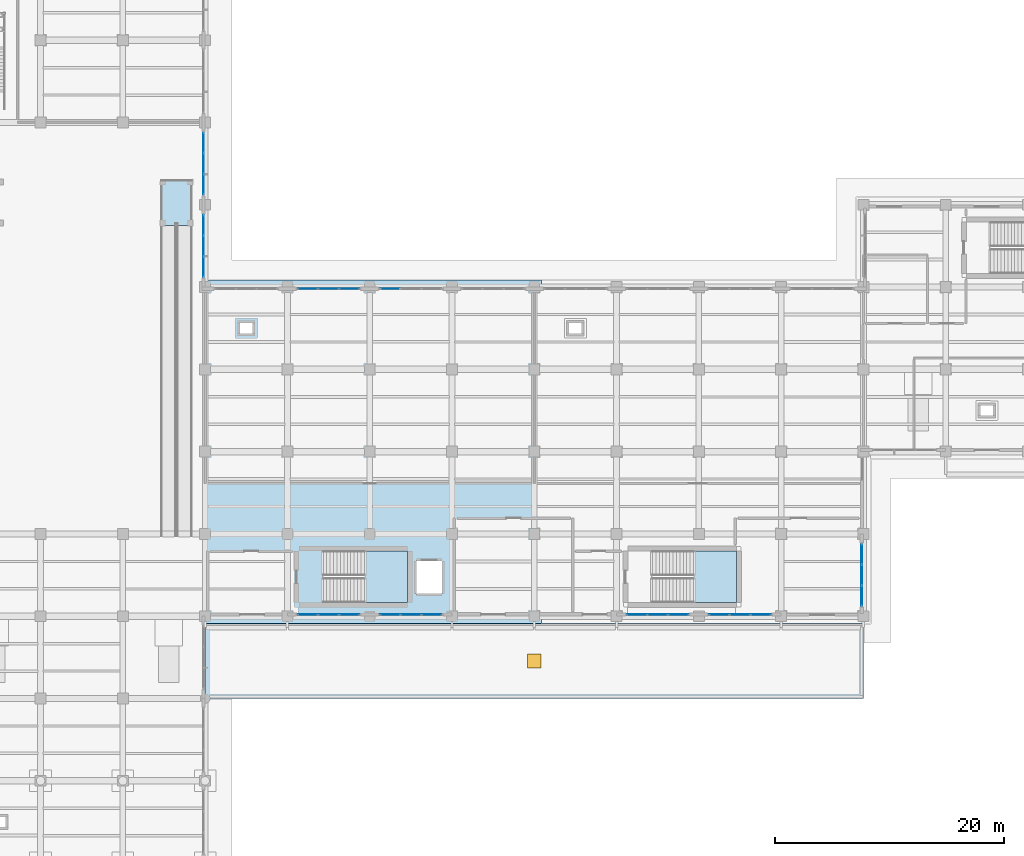
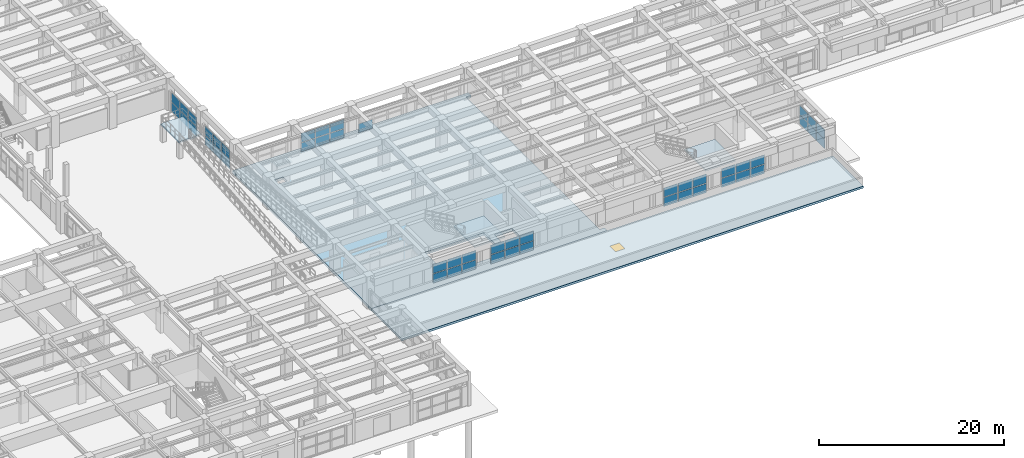
# One storey, part 32 of 64: 49 plates, 5 slabs, 1 window, 1 opening, 12 elements without a shape of their own.
"""IFC4 building model written with IfcOpenShell, lengths in metres."""

from ifc_helpers import new_model, si_unit, direction, frame, origin, origin_2d, place, context, subcontext, project, spatial, polyline, rectangle, outline, extrude, material, layer, layer_set, type_object, element, fill, aggregate, save


model = new_model("IFC4")

# Units and contexts
model_context = context("Model", 3, precision=1e-05, world=origin(), true_north=direction((0.0, 1.0)))
body_context = subcontext(model_context, "Body", "Model", "MODEL_VIEW")
ifc_project = project(units=[si_unit("LENGTHUNIT", "METRE"), si_unit("AREAUNIT", "SQUARE_METRE"), si_unit("VOLUMEUNIT", "CUBIC_METRE"), si_unit("PLANEANGLEUNIT", "RADIAN"), si_unit("MASSUNIT", "GRAM", prefix="KILO")], contexts=[model_context])

# Site, building, storey
site_placement = place(None, origin())
site = spatial("IfcSite", under=ifc_project, at=site_placement, CompositionType="ELEMENT")
building_placement = place(site_placement, origin())
building = spatial("IfcBuilding", under=site, at=building_placement, Name="Solenvale Faculty of Natural Sciences", CompositionType="ELEMENT")
storey_placement = place(building_placement, origin())
storey = spatial("IfcBuildingStorey", under=building, at=storey_placement, Name="L00", CompositionType="ELEMENT", Elevation=0.0)

# Curtain wall, plate
ifc_material_1 = material(Name="Anodised bronze aluminium", Category="aluminium")
ifc_layer_1 = layer(ifc_material_1, 0.179931640625)
ifc_layer_set_1 = layer_set([ifc_layer_1], Name="Anodised bronze aluminium")
curtain_wall_type_1 = type_object("IfcCurtainWallType", Name="CW-TWR-MOD", PredefinedType="USERDEFINED", material=ifc_layer_set_1)
curtain_wall_1_placement = place(storey_placement, origin())
curtain_wall_1 = element("IfcCurtainWall", 1, at=curtain_wall_1_placement, inside=storey, type_object=curtain_wall_type_1, Name="L00 Curtain Wall CW-L00-P1-E9-B6", ObjectType="UNITISED CURTAIN WALL", PredefinedType="USERDEFINED")
ifc_material_2 = material(Name="North-light skylight glass", Category="glass")
ifc_layer_2 = layer(ifc_material_2, 0.028076171875)
ifc_layer_set_2 = layer_set([ifc_layer_2], Name="North-light skylight glass")
plate_type_1 = type_object("IfcPlateType", Name="CWP-PNL-28", PredefinedType="CURTAIN_PANEL", material=ifc_layer_set_2)
plate_1_placement = place(storey_placement, frame((73.785400390625, 50.257568359375, 0.074951171875), z_axis=(0.0, 0.0, 1.0), x_axis=(-1.0, 0.0, 0.0)))
plate_1 = element("IfcPlate", 2, at=plate_1_placement, type_object=plate_type_1, Name="CW-04 panel 3.1", PredefinedType="CURTAIN_PANEL", context=body_context, shape_type="SweptSolid", body=[
    extrude(rectangle(XDim=1.720947265625, YDim=0.028076171875, at=origin_2d()), origin(), (0.0, 0.0, 1.0), 1.1875),
])
aggregate(curtain_wall_1, [plate_1])

# Curtain wall, plates
curtain_wall_2_placement = place(storey_placement, origin())
curtain_wall_2 = element("IfcCurtainWall", 3, at=curtain_wall_2_placement, inside=storey, type_object=curtain_wall_type_1, Name="L00 Curtain Wall CW-L00-P1-E9-B7", ObjectType="UNITISED CURTAIN WALL", PredefinedType="USERDEFINED")
ifc_material_3 = material(Name="Triple low-E insulated glass", Category="glass")
ifc_layer_3 = layer(ifc_material_3, 0.031982421875)
ifc_layer_set_3 = layer_set([ifc_layer_3], Name="Triple low-E insulated glass")
plate_type_2 = type_object("IfcPlateType", Name="CWP-PNL-32", PredefinedType="CURTAIN_PANEL", material=ifc_layer_set_3)
plate_2_placement = place(storey_placement, frame((70.214599609375, 50.257568359375, 0.074951171875), z_axis=(0.0, 0.0, 1.0), x_axis=(-1.0, 0.0, 0.0)))
plate_2 = element("IfcPlate", 4, at=plate_2_placement, type_object=plate_type_2, Name="CW-04 panel 1.1", PredefinedType="CURTAIN_PANEL", context=body_context, shape_type="SweptSolid", body=[
    extrude(rectangle(XDim=1.720947265625, YDim=0.031982421875, at=origin_2d()), origin(), (0.0, 0.0, 1.0), 1.1875),
])
plate_3_placement = place(storey_placement, frame((70.214599609375, 50.257568359375, 1.33740234375), z_axis=(0.0, 0.0, 1.0), x_axis=(-1.0, 0.0, 0.0)))
plate_3 = element("IfcPlate", 5, at=plate_3_placement, type_object=plate_type_2, Name="CW-04 panel 1.2", PredefinedType="CURTAIN_PANEL", context=body_context, shape_type="SweptSolid", body=[
    extrude(rectangle(XDim=1.720947265625, YDim=0.031982421875, at=origin_2d()), origin(), (0.0, 0.0, 1.0), 1.1875),
])
plate_4_placement = place(storey_placement, frame((68.39990234375, 50.257568359375, 0.074951171875), z_axis=(0.0, 0.0, 1.0), x_axis=(-1.0, 0.0, 0.0)))
plate_4 = element("IfcPlate", 6, at=plate_4_placement, type_object=plate_type_2, Name="CW-04 panel 2.1", PredefinedType="CURTAIN_PANEL", context=body_context, shape_type="SweptSolid", body=[
    extrude(rectangle(XDim=1.75830078125, YDim=0.031982421875, at=origin_2d()), origin(), (0.0, 0.0, 1.0), 1.1875),
])
plate_5_placement = place(storey_placement, frame((68.39990234375, 50.257568359375, 1.33740234375), z_axis=(0.0, 0.0, 1.0), x_axis=(-1.0, 0.0, 0.0)))
plate_5 = element("IfcPlate", 7, at=plate_5_placement, type_object=plate_type_2, Name="CW-04 panel 2.2", PredefinedType="CURTAIN_PANEL", context=body_context, shape_type="SweptSolid", body=[
    extrude(rectangle(XDim=1.75830078125, YDim=0.031982421875, at=origin_2d()), origin(), (0.0, 0.0, 1.0), 1.1875),
])
plate_6_placement = place(storey_placement, frame((66.58544921875, 50.257568359375, 0.074951171875), z_axis=(0.0, 0.0, 1.0), x_axis=(-1.0, 0.0, 0.0)))
plate_6 = element("IfcPlate", 8, at=plate_6_placement, type_object=plate_type_2, Name="CW-04 panel 3.1", PredefinedType="CURTAIN_PANEL", context=body_context, shape_type="SweptSolid", body=[
    extrude(rectangle(XDim=1.720947265625, YDim=0.031982421875, at=origin_2d()), origin(), (0.0, 0.0, 1.0), 1.1875),
])
plate_7_placement = place(storey_placement, frame((66.58544921875, 50.257568359375, 1.33740234375), z_axis=(0.0, 0.0, 1.0), x_axis=(-1.0, 0.0, 0.0)))
plate_7 = element("IfcPlate", 9, at=plate_7_placement, type_object=plate_type_2, Name="CW-04 panel 3.2", PredefinedType="CURTAIN_PANEL", context=body_context, shape_type="SweptSolid", body=[
    extrude(rectangle(XDim=1.720947265625, YDim=0.031982421875, at=origin_2d()), origin(), (0.0, 0.0, 1.0), 1.1875),
])
aggregate(curtain_wall_2, [plate_2, plate_3, plate_4, plate_5, plate_6, plate_7])

curtain_wall_3_placement = place(storey_placement, origin())
curtain_wall_3 = element("IfcCurtainWall", 10, at=curtain_wall_3_placement, inside=storey, type_object=curtain_wall_type_1, Name="L00 Curtain Wall CW-L00-P1-E3-B6", ObjectType="UNITISED CURTAIN WALL", PredefinedType="USERDEFINED")
ifc_layer_4 = layer(ifc_material_3, 0.035888671875)
ifc_layer_set_4 = layer_set([ifc_layer_4], Name="Triple low-E insulated glass")
plate_type_3 = type_object("IfcPlateType", Name="CWP-PNL-36", PredefinedType="CURTAIN_PANEL", material=ifc_layer_set_4)
plate_8_placement = place(storey_placement, frame((95.385498046875, 21.742431640625, 0.074951171875), z_axis=(0.0, 0.0, 1.0), x_axis=(1.0, 0.0, 0.0)))
plate_8 = element("IfcPlate", 11, at=plate_8_placement, type_object=plate_type_3, Name="CW-04 panel 1.1", PredefinedType="CURTAIN_PANEL", context=body_context, shape_type="SweptSolid", body=[
    extrude(rectangle(XDim=1.720947265625, YDim=0.035888671875, at=origin_2d()), origin(), (0.0, 0.0, 1.0), 1.1875),
])
plate_9_placement = place(storey_placement, frame((95.385498046875, 21.742431640625, 1.33740234375), z_axis=(0.0, 0.0, 1.0), x_axis=(1.0, 0.0, 0.0)))
plate_9 = element("IfcPlate", 12, at=plate_9_placement, type_object=plate_type_3, Name="CW-04 panel 1.2", PredefinedType="CURTAIN_PANEL", context=body_context, shape_type="SweptSolid", body=[
    extrude(rectangle(XDim=1.720947265625, YDim=0.035888671875, at=origin_2d()), origin(), (0.0, 0.0, 1.0), 1.1875),
])
plate_10_placement = place(storey_placement, frame((97.199951171875, 21.742431640625, 0.074951171875), z_axis=(0.0, 0.0, 1.0), x_axis=(1.0, 0.0, 0.0)))
plate_10 = element("IfcPlate", 13, at=plate_10_placement, type_object=plate_type_3, Name="CW-04 panel 2.1", PredefinedType="CURTAIN_PANEL", context=body_context, shape_type="SweptSolid", body=[
    extrude(rectangle(XDim=1.75830078125, YDim=0.035888671875, at=origin_2d()), origin(), (0.0, 0.0, 1.0), 1.1875),
])
plate_11_placement = place(storey_placement, frame((97.199951171875, 21.742431640625, 1.33740234375), z_axis=(0.0, 0.0, 1.0), x_axis=(1.0, 0.0, 0.0)))
plate_11 = element("IfcPlate", 14, at=plate_11_placement, type_object=plate_type_3, Name="CW-04 panel 2.2", PredefinedType="CURTAIN_PANEL", context=body_context, shape_type="SweptSolid", body=[
    extrude(rectangle(XDim=1.75830078125, YDim=0.035888671875, at=origin_2d()), origin(), (0.0, 0.0, 1.0), 1.1875),
])
plate_12_placement = place(storey_placement, frame((99.0146484375, 21.742431640625, 0.074951171875), z_axis=(0.0, 0.0, 1.0), x_axis=(1.0, 0.0, 0.0)))
plate_12 = element("IfcPlate", 15, at=plate_12_placement, type_object=plate_type_3, Name="CW-04 panel 3.1", PredefinedType="CURTAIN_PANEL", context=body_context, shape_type="SweptSolid", body=[
    extrude(rectangle(XDim=1.720947265625, YDim=0.035888671875, at=origin_2d()), origin(), (0.0, 0.0, 1.0), 1.1875),
])
plate_13_placement = place(storey_placement, frame((99.0146484375, 21.742431640625, 1.33740234375), z_axis=(0.0, 0.0, 1.0), x_axis=(1.0, 0.0, 0.0)))
plate_13 = element("IfcPlate", 16, at=plate_13_placement, type_object=plate_type_3, Name="CW-04 panel 3.2", PredefinedType="CURTAIN_PANEL", context=body_context, shape_type="SweptSolid", body=[
    extrude(rectangle(XDim=1.720947265625, YDim=0.035888671875, at=origin_2d()), origin(), (0.0, 0.0, 1.0), 1.1875),
])
aggregate(curtain_wall_3, [plate_8, plate_9, plate_10, plate_11, plate_12, plate_13])

curtain_wall_4_placement = place(storey_placement, origin())
curtain_wall_4 = element("IfcCurtainWall", 17, at=curtain_wall_4_placement, inside=storey, type_object=curtain_wall_type_1, Name="L00 Curtain Wall CW-L00-P1-E3-B7", ObjectType="UNITISED CURTAIN WALL", PredefinedType="USERDEFINED")
ifc_layer_5 = layer(ifc_material_3, 0.0400390625)
ifc_layer_set_5 = layer_set([ifc_layer_5], Name="Triple low-E insulated glass")
plate_type_4 = type_object("IfcPlateType", Name="CWP-PNL-40", PredefinedType="CURTAIN_PANEL", material=ifc_layer_set_5)
plate_14_placement = place(storey_placement, frame((102.58544921875, 21.742431640625, 0.074951171875), z_axis=(0.0, 0.0, 1.0), x_axis=(1.0, 0.0, 0.0)))
plate_14 = element("IfcPlate", 18, at=plate_14_placement, type_object=plate_type_4, Name="CW-04 panel 1.1", PredefinedType="CURTAIN_PANEL", context=body_context, shape_type="SweptSolid", body=[
    extrude(rectangle(XDim=1.720947265625, YDim=0.0400390625, at=origin_2d()), origin(), (0.0, 0.0, 1.0), 1.1875),
])
plate_15_placement = place(storey_placement, frame((102.58544921875, 21.742431640625, 1.33740234375), z_axis=(0.0, 0.0, 1.0), x_axis=(1.0, 0.0, 0.0)))
plate_15 = element("IfcPlate", 19, at=plate_15_placement, type_object=plate_type_4, Name="CW-04 panel 1.2", PredefinedType="CURTAIN_PANEL", context=body_context, shape_type="SweptSolid", body=[
    extrude(rectangle(XDim=1.720947265625, YDim=0.0400390625, at=origin_2d()), origin(), (0.0, 0.0, 1.0), 1.1875),
])
plate_16_placement = place(storey_placement, frame((104.39990234375, 21.742431640625, 0.074951171875), z_axis=(0.0, 0.0, 1.0), x_axis=(1.0, 0.0, 0.0)))
plate_16 = element("IfcPlate", 20, at=plate_16_placement, type_object=plate_type_4, Name="CW-04 panel 2.1", PredefinedType="CURTAIN_PANEL", context=body_context, shape_type="SweptSolid", body=[
    extrude(rectangle(XDim=1.75830078125, YDim=0.0400390625, at=origin_2d()), origin(), (0.0, 0.0, 1.0), 1.1875),
])
plate_17_placement = place(storey_placement, frame((104.39990234375, 21.742431640625, 1.33740234375), z_axis=(0.0, 0.0, 1.0), x_axis=(1.0, 0.0, 0.0)))
plate_17 = element("IfcPlate", 21, at=plate_17_placement, type_object=plate_type_4, Name="CW-04 panel 2.2", PredefinedType="CURTAIN_PANEL", context=body_context, shape_type="SweptSolid", body=[
    extrude(rectangle(XDim=1.75830078125, YDim=0.0400390625, at=origin_2d()), origin(), (0.0, 0.0, 1.0), 1.1875),
])
plate_18_placement = place(storey_placement, frame((106.214599609375, 21.742431640625, 0.074951171875), z_axis=(0.0, 0.0, 1.0), x_axis=(1.0, 0.0, 0.0)))
plate_18 = element("IfcPlate", 22, at=plate_18_placement, type_object=plate_type_4, Name="CW-04 panel 3.1", PredefinedType="CURTAIN_PANEL", context=body_context, shape_type="SweptSolid", body=[
    extrude(rectangle(XDim=1.720947265625, YDim=0.0400390625, at=origin_2d()), origin(), (0.0, 0.0, 1.0), 1.1875),
])
plate_19_placement = place(storey_placement, frame((106.214599609375, 21.742431640625, 1.33740234375), z_axis=(0.0, 0.0, 1.0), x_axis=(1.0, 0.0, 0.0)))
plate_19 = element("IfcPlate", 23, at=plate_19_placement, type_object=plate_type_4, Name="CW-04 panel 3.2", PredefinedType="CURTAIN_PANEL", context=body_context, shape_type="SweptSolid", body=[
    extrude(rectangle(XDim=1.720947265625, YDim=0.0400390625, at=origin_2d()), origin(), (0.0, 0.0, 1.0), 1.1875),
])
aggregate(curtain_wall_4, [plate_14, plate_15, plate_16, plate_17, plate_18, plate_19])

ifc_layer_6 = layer(ifc_material_1, 0.215087890625)
ifc_layer_set_6 = layer_set([ifc_layer_6], Name="Anodised bronze aluminium")
curtain_wall_type_2 = type_object("IfcCurtainWallType", Name="CW-ATR-UNIT", PredefinedType="USERDEFINED", material=ifc_layer_set_6)
curtain_wall_5_placement = place(storey_placement, origin())
curtain_wall_5 = element("IfcCurtainWall", 24, at=curtain_wall_5_placement, inside=storey, type_object=curtain_wall_type_2, Name="L00 Curtain Wall CW-L00-P1-E10-B1", ObjectType="UNITISED CURTAIN WALL", PredefinedType="USERDEFINED")
ifc_layer_7 = layer(ifc_material_3, 0.0439453125)
ifc_layer_set_7 = layer_set([ifc_layer_7], Name="Triple low-E insulated glass")
plate_type_5 = type_object("IfcPlateType", Name="CWP-PNL-44", PredefinedType="CURTAIN_PANEL", material=ifc_layer_set_7)
plate_20_placement = place(storey_placement, frame((57.45751953125, 52.185302734375, 0.074951171875), z_axis=(0.0, 0.0, 1.0), x_axis=(0.0, 1.0, 0.0)))
plate_20 = element("IfcPlate", 25, at=plate_20_placement, type_object=plate_type_5, Name="CW-01 panel 1.1", PredefinedType="CURTAIN_PANEL", context=body_context, shape_type="SweptSolid", body=[
    extrude(rectangle(XDim=1.720947265625, YDim=0.0439453125, at=origin_2d()), origin(), (0.0, 0.0, 1.0), 1.1875),
])
plate_21_placement = place(storey_placement, frame((57.45751953125, 52.185302734375, 1.33740234375), z_axis=(0.0, 0.0, 1.0), x_axis=(0.0, 1.0, 0.0)))
plate_21 = element("IfcPlate", 26, at=plate_21_placement, type_object=plate_type_5, Name="CW-01 panel 1.2", PredefinedType="CURTAIN_PANEL", context=body_context, shape_type="SweptSolid", body=[
    extrude(rectangle(XDim=1.720947265625, YDim=0.0439453125, at=origin_2d()), origin(), (0.0, 0.0, 1.0), 1.1875),
])
plate_22_placement = place(storey_placement, frame((57.45751953125, 54.0, 0.074951171875), z_axis=(0.0, 0.0, 1.0), x_axis=(0.0, 1.0, 0.0)))
plate_22 = element("IfcPlate", 27, at=plate_22_placement, type_object=plate_type_5, Name="CW-01 panel 2.1", PredefinedType="CURTAIN_PANEL", context=body_context, shape_type="SweptSolid", body=[
    extrude(rectangle(XDim=1.75830078125, YDim=0.0439453125, at=origin_2d()), origin(), (0.0, 0.0, 1.0), 1.1875),
])
plate_23_placement = place(storey_placement, frame((57.45751953125, 54.0, 1.33740234375), z_axis=(0.0, 0.0, 1.0), x_axis=(0.0, 1.0, 0.0)))
plate_23 = element("IfcPlate", 28, at=plate_23_placement, type_object=plate_type_5, Name="CW-01 panel 2.2", PredefinedType="CURTAIN_PANEL", context=body_context, shape_type="SweptSolid", body=[
    extrude(rectangle(XDim=1.75830078125, YDim=0.0439453125, at=origin_2d()), origin(), (0.0, 0.0, 1.0), 1.1875),
])
plate_24_placement = place(storey_placement, frame((57.45751953125, 55.814697265625, 0.074951171875), z_axis=(0.0, 0.0, 1.0), x_axis=(0.0, 1.0, 0.0)))
plate_24 = element("IfcPlate", 29, at=plate_24_placement, type_object=plate_type_5, Name="CW-01 panel 3.1", PredefinedType="CURTAIN_PANEL", context=body_context, shape_type="SweptSolid", body=[
    extrude(rectangle(XDim=1.720947265625, YDim=0.0439453125, at=origin_2d()), origin(), (0.0, 0.0, 1.0), 1.1875),
])
plate_25_placement = place(storey_placement, frame((57.45751953125, 55.814697265625, 1.33740234375), z_axis=(0.0, 0.0, 1.0), x_axis=(0.0, 1.0, 0.0)))
plate_25 = element("IfcPlate", 30, at=plate_25_placement, type_object=plate_type_5, Name="CW-01 panel 3.2", PredefinedType="CURTAIN_PANEL", context=body_context, shape_type="SweptSolid", body=[
    extrude(rectangle(XDim=1.720947265625, YDim=0.0439453125, at=origin_2d()), origin(), (0.0, 0.0, 1.0), 1.1875),
])
aggregate(curtain_wall_5, [plate_20, plate_21, plate_22, plate_23, plate_24, plate_25])

curtain_wall_6_placement = place(storey_placement, origin())
curtain_wall_6 = element("IfcCurtainWall", 31, at=curtain_wall_6_placement, inside=storey, type_object=curtain_wall_type_2, Name="L00 Curtain Wall CW-L00-P1-E10-B2", ObjectType="UNITISED CURTAIN WALL", PredefinedType="USERDEFINED")
ifc_layer_8 = layer(ifc_material_1, 0.048095703125)
ifc_layer_set_8 = layer_set([ifc_layer_8], Name="Anodised bronze aluminium")
plate_type_6 = type_object("IfcPlateType", Name="CWP-PNL-48", PredefinedType="CURTAIN_PANEL", material=ifc_layer_set_8)
plate_26_placement = place(storey_placement, frame((57.45751953125, 59.385498046875, 0.074951171875), z_axis=(0.0, 0.0, 1.0), x_axis=(0.0, 1.0, 0.0)))
plate_26 = element("IfcPlate", 32, at=plate_26_placement, type_object=plate_type_6, Name="CW-01 panel 1.1", PredefinedType="CURTAIN_PANEL", context=body_context, shape_type="SweptSolid", body=[
    extrude(rectangle(XDim=1.720947265625, YDim=0.048095703125, at=origin_2d()), origin(), (0.0, 0.0, 1.0), 1.1875),
])
plate_27_placement = place(storey_placement, frame((57.45751953125, 59.385498046875, 1.33740234375), z_axis=(0.0, 0.0, 1.0), x_axis=(0.0, 1.0, 0.0)))
plate_27 = element("IfcPlate", 33, at=plate_27_placement, type_object=plate_type_6, Name="CW-01 panel 1.2", PredefinedType="CURTAIN_PANEL", context=body_context, shape_type="SweptSolid", body=[
    extrude(rectangle(XDim=1.720947265625, YDim=0.048095703125, at=origin_2d()), origin(), (0.0, 0.0, 1.0), 1.1875),
])
plate_28_placement = place(storey_placement, frame((57.45751953125, 61.199951171875, 0.074951171875), z_axis=(0.0, 0.0, 1.0), x_axis=(0.0, 1.0, 0.0)))
plate_28 = element("IfcPlate", 34, at=plate_28_placement, type_object=plate_type_6, Name="CW-01 panel 2.1", PredefinedType="CURTAIN_PANEL", context=body_context, shape_type="SweptSolid", body=[
    extrude(rectangle(XDim=1.75830078125, YDim=0.048095703125, at=origin_2d()), origin(), (0.0, 0.0, 1.0), 1.1875),
])
plate_29_placement = place(storey_placement, frame((57.45751953125, 61.199951171875, 1.33740234375), z_axis=(0.0, 0.0, 1.0), x_axis=(0.0, 1.0, 0.0)))
plate_29 = element("IfcPlate", 35, at=plate_29_placement, type_object=plate_type_6, Name="CW-01 panel 2.2", PredefinedType="CURTAIN_PANEL", context=body_context, shape_type="SweptSolid", body=[
    extrude(rectangle(XDim=1.75830078125, YDim=0.048095703125, at=origin_2d()), origin(), (0.0, 0.0, 1.0), 1.1875),
])
plate_30_placement = place(storey_placement, frame((57.45751953125, 63.0146484375, 0.074951171875), z_axis=(0.0, 0.0, 1.0), x_axis=(0.0, 1.0, 0.0)))
plate_30 = element("IfcPlate", 36, at=plate_30_placement, type_object=plate_type_6, Name="CW-01 panel 3.1", PredefinedType="CURTAIN_PANEL", context=body_context, shape_type="SweptSolid", body=[
    extrude(rectangle(XDim=1.720947265625, YDim=0.048095703125, at=origin_2d()), origin(), (0.0, 0.0, 1.0), 1.1875),
])
plate_31_placement = place(storey_placement, frame((57.45751953125, 63.0146484375, 1.33740234375), z_axis=(0.0, 0.0, 1.0), x_axis=(0.0, 1.0, 0.0)))
plate_31 = element("IfcPlate", 37, at=plate_31_placement, type_object=plate_type_6, Name="CW-01 panel 3.2", PredefinedType="CURTAIN_PANEL", context=body_context, shape_type="SweptSolid", body=[
    extrude(rectangle(XDim=1.720947265625, YDim=0.048095703125, at=origin_2d()), origin(), (0.0, 0.0, 1.0), 1.1875),
])
aggregate(curtain_wall_6, [plate_26, plate_27, plate_28, plate_29, plate_30, plate_31])

curtain_wall_7_placement = place(storey_placement, origin())
curtain_wall_7 = element("IfcCurtainWall", 38, at=curtain_wall_7_placement, inside=storey, type_object=curtain_wall_type_1, Name="L00 Curtain Wall CW-L00-P1-E3-B2", ObjectType="UNITISED CURTAIN WALL", PredefinedType="USERDEFINED")
ifc_layer_9 = layer(ifc_material_1, 0.053955078125)
ifc_layer_set_9 = layer_set([ifc_layer_9], Name="Anodised bronze aluminium")
plate_type_7 = type_object("IfcPlateType", Name="CWP-PNL-54", PredefinedType="CURTAIN_PANEL", material=ifc_layer_set_9)
plate_32_placement = place(storey_placement, frame((66.58544921875, 21.742431640625, 0.074951171875), z_axis=(0.0, 0.0, 1.0), x_axis=(1.0, 0.0, 0.0)))
plate_32 = element("IfcPlate", 39, at=plate_32_placement, type_object=plate_type_7, Name="CW-04 panel 1.1", PredefinedType="CURTAIN_PANEL", context=body_context, shape_type="SweptSolid", body=[
    extrude(rectangle(XDim=1.720947265625, YDim=0.053955078125, at=origin_2d()), origin(), (0.0, 0.0, 1.0), 1.1875),
])
plate_33_placement = place(storey_placement, frame((66.58544921875, 21.742431640625, 1.33740234375), z_axis=(0.0, 0.0, 1.0), x_axis=(1.0, 0.0, 0.0)))
plate_33 = element("IfcPlate", 40, at=plate_33_placement, type_object=plate_type_7, Name="CW-04 panel 1.2", PredefinedType="CURTAIN_PANEL", context=body_context, shape_type="SweptSolid", body=[
    extrude(rectangle(XDim=1.720947265625, YDim=0.053955078125, at=origin_2d()), origin(), (0.0, 0.0, 1.0), 1.1875),
])
plate_34_placement = place(storey_placement, frame((68.39990234375, 21.742431640625, 0.074951171875), z_axis=(0.0, 0.0, 1.0), x_axis=(1.0, 0.0, 0.0)))
plate_34 = element("IfcPlate", 41, at=plate_34_placement, type_object=plate_type_7, Name="CW-04 panel 2.1", PredefinedType="CURTAIN_PANEL", context=body_context, shape_type="SweptSolid", body=[
    extrude(rectangle(XDim=1.75830078125, YDim=0.053955078125, at=origin_2d()), origin(), (0.0, 0.0, 1.0), 1.1875),
])
plate_35_placement = place(storey_placement, frame((68.39990234375, 21.742431640625, 1.33740234375), z_axis=(0.0, 0.0, 1.0), x_axis=(1.0, 0.0, 0.0)))
plate_35 = element("IfcPlate", 42, at=plate_35_placement, type_object=plate_type_7, Name="CW-04 panel 2.2", PredefinedType="CURTAIN_PANEL", context=body_context, shape_type="SweptSolid", body=[
    extrude(rectangle(XDim=1.75830078125, YDim=0.053955078125, at=origin_2d()), origin(), (0.0, 0.0, 1.0), 1.1875),
])
plate_36_placement = place(storey_placement, frame((70.214599609375, 21.742431640625, 0.074951171875), z_axis=(0.0, 0.0, 1.0), x_axis=(1.0, 0.0, 0.0)))
plate_36 = element("IfcPlate", 43, at=plate_36_placement, type_object=plate_type_7, Name="CW-04 panel 3.1", PredefinedType="CURTAIN_PANEL", context=body_context, shape_type="SweptSolid", body=[
    extrude(rectangle(XDim=1.720947265625, YDim=0.053955078125, at=origin_2d()), origin(), (0.0, 0.0, 1.0), 1.1875),
])
plate_37_placement = place(storey_placement, frame((70.214599609375, 21.742431640625, 1.33740234375), z_axis=(0.0, 0.0, 1.0), x_axis=(1.0, 0.0, 0.0)))
plate_37 = element("IfcPlate", 44, at=plate_37_placement, type_object=plate_type_7, Name="CW-04 panel 3.2", PredefinedType="CURTAIN_PANEL", context=body_context, shape_type="SweptSolid", body=[
    extrude(rectangle(XDim=1.720947265625, YDim=0.053955078125, at=origin_2d()), origin(), (0.0, 0.0, 1.0), 1.1875),
])
aggregate(curtain_wall_7, [plate_32, plate_33, plate_34, plate_35, plate_36, plate_37])

curtain_wall_8_placement = place(storey_placement, origin())
curtain_wall_8 = element("IfcCurtainWall", 45, at=curtain_wall_8_placement, inside=storey, type_object=curtain_wall_type_1, Name="L00 Curtain Wall CW-L00-P1-E4-B1", ObjectType="UNITISED CURTAIN WALL", PredefinedType="USERDEFINED")
plate_38_placement = place(storey_placement, frame((115.0576171875, 23.385498046875, 0.074951171875), z_axis=(0.0, 0.0, 1.0), x_axis=(0.0, 1.0, 0.0)))
plate_38 = element("IfcPlate", 46, at=plate_38_placement, type_object=plate_type_7, Name="CW-04 panel 1.1", PredefinedType="CURTAIN_PANEL", context=body_context, shape_type="SweptSolid", body=[
    extrude(rectangle(XDim=1.720947265625, YDim=0.053955078125, at=origin_2d()), origin(), (0.0, 0.0, 1.0), 1.1875),
])
plate_39_placement = place(storey_placement, frame((115.0576171875, 23.385498046875, 1.33740234375), z_axis=(0.0, 0.0, 1.0), x_axis=(0.0, 1.0, 0.0)))
plate_39 = element("IfcPlate", 47, at=plate_39_placement, type_object=plate_type_7, Name="CW-04 panel 1.2", PredefinedType="CURTAIN_PANEL", context=body_context, shape_type="SweptSolid", body=[
    extrude(rectangle(XDim=1.720947265625, YDim=0.053955078125, at=origin_2d()), origin(), (0.0, 0.0, 1.0), 1.1875),
])
plate_40_placement = place(storey_placement, frame((115.0576171875, 25.199951171875, 0.074951171875), z_axis=(0.0, 0.0, 1.0), x_axis=(0.0, 1.0, 0.0)))
plate_40 = element("IfcPlate", 48, at=plate_40_placement, type_object=plate_type_7, Name="CW-04 panel 2.1", PredefinedType="CURTAIN_PANEL", context=body_context, shape_type="SweptSolid", body=[
    extrude(rectangle(XDim=1.75830078125, YDim=0.053955078125, at=origin_2d()), origin(), (0.0, 0.0, 1.0), 1.1875),
])
plate_41_placement = place(storey_placement, frame((115.0576171875, 25.199951171875, 1.33740234375), z_axis=(0.0, 0.0, 1.0), x_axis=(0.0, 1.0, 0.0)))
plate_41 = element("IfcPlate", 49, at=plate_41_placement, type_object=plate_type_7, Name="CW-04 panel 2.2", PredefinedType="CURTAIN_PANEL", context=body_context, shape_type="SweptSolid", body=[
    extrude(rectangle(XDim=1.75830078125, YDim=0.053955078125, at=origin_2d()), origin(), (0.0, 0.0, 1.0), 1.1875),
])
plate_42_placement = place(storey_placement, frame((115.0576171875, 27.0146484375, 0.074951171875), z_axis=(0.0, 0.0, 1.0), x_axis=(0.0, 1.0, 0.0)))
plate_42 = element("IfcPlate", 50, at=plate_42_placement, type_object=plate_type_7, Name="CW-04 panel 3.1", PredefinedType="CURTAIN_PANEL", context=body_context, shape_type="SweptSolid", body=[
    extrude(rectangle(XDim=1.720947265625, YDim=0.053955078125, at=origin_2d()), origin(), (0.0, 0.0, 1.0), 1.1875),
])
plate_43_placement = place(storey_placement, frame((115.0576171875, 27.0146484375, 1.33740234375), z_axis=(0.0, 0.0, 1.0), x_axis=(0.0, 1.0, 0.0)))
plate_43 = element("IfcPlate", 51, at=plate_43_placement, type_object=plate_type_7, Name="CW-04 panel 3.2", PredefinedType="CURTAIN_PANEL", context=body_context, shape_type="SweptSolid", body=[
    extrude(rectangle(XDim=1.720947265625, YDim=0.053955078125, at=origin_2d()), origin(), (0.0, 0.0, 1.0), 1.1875),
])
aggregate(curtain_wall_8, [plate_38, plate_39, plate_40, plate_41, plate_42, plate_43])

curtain_wall_9_placement = place(storey_placement, origin())
curtain_wall_9 = element("IfcCurtainWall", 52, at=curtain_wall_9_placement, inside=storey, type_object=curtain_wall_type_1, Name="L00 Curtain Wall CW-L00-P1-E3-B3", ObjectType="UNITISED CURTAIN WALL", PredefinedType="USERDEFINED")
ifc_layer_10 = layer(ifc_material_1, 0.06005859375)
ifc_layer_set_10 = layer_set([ifc_layer_10], Name="Anodised bronze aluminium")
plate_type_8 = type_object("IfcPlateType", Name="CWP-PNL-60", PredefinedType="CURTAIN_PANEL", material=ifc_layer_set_10)
plate_44_placement = place(storey_placement, frame((73.785400390625, 21.742431640625, 0.074951171875), z_axis=(0.0, 0.0, 1.0), x_axis=(1.0, 0.0, 0.0)))
plate_44 = element("IfcPlate", 53, at=plate_44_placement, type_object=plate_type_8, Name="CW-04 panel 1.1", PredefinedType="CURTAIN_PANEL", context=body_context, shape_type="SweptSolid", body=[
    extrude(rectangle(XDim=1.720947265625, YDim=0.06005859375, at=origin_2d()), origin(), (0.0, 0.0, 1.0), 1.1875),
])
plate_45_placement = place(storey_placement, frame((73.785400390625, 21.742431640625, 1.33740234375), z_axis=(0.0, 0.0, 1.0), x_axis=(1.0, 0.0, 0.0)))
plate_45 = element("IfcPlate", 54, at=plate_45_placement, type_object=plate_type_8, Name="CW-04 panel 1.2", PredefinedType="CURTAIN_PANEL", context=body_context, shape_type="SweptSolid", body=[
    extrude(rectangle(XDim=1.720947265625, YDim=0.06005859375, at=origin_2d()), origin(), (0.0, 0.0, 1.0), 1.1875),
])
plate_46_placement = place(storey_placement, frame((75.60009765625, 21.742431640625, 0.074951171875), z_axis=(0.0, 0.0, 1.0), x_axis=(1.0, 0.0, 0.0)))
plate_46 = element("IfcPlate", 55, at=plate_46_placement, type_object=plate_type_8, Name="CW-04 panel 2.1", PredefinedType="CURTAIN_PANEL", context=body_context, shape_type="SweptSolid", body=[
    extrude(rectangle(XDim=1.75830078125, YDim=0.06005859375, at=origin_2d()), origin(), (0.0, 0.0, 1.0), 1.1875),
])
plate_47_placement = place(storey_placement, frame((75.60009765625, 21.742431640625, 1.33740234375), z_axis=(0.0, 0.0, 1.0), x_axis=(1.0, 0.0, 0.0)))
plate_47 = element("IfcPlate", 56, at=plate_47_placement, type_object=plate_type_8, Name="CW-04 panel 2.2", PredefinedType="CURTAIN_PANEL", context=body_context, shape_type="SweptSolid", body=[
    extrude(rectangle(XDim=1.75830078125, YDim=0.06005859375, at=origin_2d()), origin(), (0.0, 0.0, 1.0), 1.1875),
])
plate_48_placement = place(storey_placement, frame((77.41455078125, 21.742431640625, 0.074951171875), z_axis=(0.0, 0.0, 1.0), x_axis=(1.0, 0.0, 0.0)))
plate_48 = element("IfcPlate", 57, at=plate_48_placement, type_object=plate_type_8, Name="CW-04 panel 3.1", PredefinedType="CURTAIN_PANEL", context=body_context, shape_type="SweptSolid", body=[
    extrude(rectangle(XDim=1.720947265625, YDim=0.06005859375, at=origin_2d()), origin(), (0.0, 0.0, 1.0), 1.1875),
])
plate_49_placement = place(storey_placement, frame((77.41455078125, 21.742431640625, 1.33740234375), z_axis=(0.0, 0.0, 1.0), x_axis=(1.0, 0.0, 0.0)))
plate_49 = element("IfcPlate", 58, at=plate_49_placement, type_object=plate_type_8, Name="CW-04 panel 3.2", PredefinedType="CURTAIN_PANEL", context=body_context, shape_type="SweptSolid", body=[
    extrude(rectangle(XDim=1.720947265625, YDim=0.06005859375, at=origin_2d()), origin(), (0.0, 0.0, 1.0), 1.1875),
])
aggregate(curtain_wall_9, [plate_44, plate_45, plate_46, plate_47, plate_48, plate_49])

# Slab
ifc_material_4 = material(Name="Concrete 40 MPa", Category="concrete")
ifc_layer_11 = layer(ifc_material_4, 0.35009765625)
ifc_layer_set_11 = layer_set([ifc_layer_11], Name="Concrete 40 MPa")
slab_type_1 = type_object("IfcSlabType", Name="SL-FLR-350", PredefinedType="FLOOR", material=ifc_layer_set_11)
slab_1_placement = place(storey_placement, frame((0.0, 0.0, -0.35009765625)))
element("IfcSlab", 59, at=slab_1_placement, inside=storey, type_object=slab_type_1, Name="L00 V4 Floor Slab 1.1", PredefinedType="FLOOR", context=body_context, shape_type="SweptSolid", body=[
    extrude(outline(polyline([(57.6201171875, 21.5498046875), (57.60009765625, 21.58740234375), (57.60009765625, 50.41259765625), (57.6201171875, 50.44970703125), (57.6201171875, 50.9951171875), (57.627197265625, 51.0126953125), (57.64501953125, 51.02001953125), (86.9951171875, 51.02001953125), (87.0126953125, 51.0126953125), (87.02001953125, 50.9951171875), (87.02001953125, 50.445068359375), (87.0126953125, 50.42724609375), (86.9951171875, 50.419921875), (86.44970703125, 50.419921875), (86.435302734375, 50.413818359375), (86.429931640625, 50.399658203125), (86.429931640625, 21.600341796875), (86.435302734375, 21.586181640625), (86.44970703125, 21.580078125), (86.9951171875, 21.580078125), (87.0126953125, 21.57275390625), (87.02001953125, 21.554931640625), (87.02001953125, 21.0048828125), (87.0126953125, 20.9873046875), (86.9951171875, 20.97998046875), (57.64501953125, 20.97998046875), (57.629150390625, 20.985595703125), (57.6201171875, 21.00244140625), (57.6201171875, 21.5498046875)]), holes=[polyline([(76.06005859375, 23.56005859375), (78.340087890625, 23.56005859375), (78.340087890625, 26.43994140625), (76.06005859375, 26.43994140625), (76.06005859375, 23.56005859375)]), polyline([(67.93994140625, 22.800048828125), (75.300048828125, 22.800048828125), (75.300048828125, 27.300048828125), (67.93994140625, 27.300048828125), (67.93994140625, 22.800048828125)]), polyline([(60.64990234375, 46.35009765625), (61.75, 46.35009765625), (61.75, 47.25), (60.64990234375, 47.25), (60.64990234375, 46.35009765625)])]), origin(), (0.0, 0.0, 1.0), 0.35009765625),
])

# Stair, slab
stair_type = type_object("IfcStairType", Name="STR-CORE-25R", PredefinedType="DOUBLE_RETURN_STAIR", material=ifc_material_4)
stair_1_placement = place(storey_placement, origin())
stair_1 = element("IfcStair", 60, at=stair_1_placement, inside=storey, type_object=stair_type, Name="L00 Protected Exit Stair ST-03", PredefinedType="DOUBLE_RETURN_STAIR")
ifc_layer_12 = layer(ifc_material_4, 0.195068359375)
ifc_layer_set_12 = layer_set([ifc_layer_12], Name="Concrete 40 MPa")
slab_type_2 = type_object("IfcSlabType", Name="SL-LND-195", PredefinedType="LANDING", material=ifc_layer_set_12)
slab_2_placement = place(storey_placement, frame((0.0, 0.0, 2.050048828125)))
slab_2 = element("IfcSlab", 61, at=slab_2_placement, type_object=slab_type_2, Name="ST-03 landing 1", PredefinedType="LANDING", context=body_context, shape_type="SweptSolid", body=[
    extrude(outline(polyline([(71.5400390625, 22.800048828125), (75.300048828125, 22.800048828125), (75.300048828125, 27.300048828125), (71.5400390625, 27.300048828125), (71.5400390625, 22.800048828125)])), origin(), (0.0, 0.0, 1.0), 0.199951171875),
])
aggregate(stair_1, [slab_2])

stair_2_placement = place(storey_placement, origin())
stair_2 = element("IfcStair", 62, at=stair_2_placement, inside=storey, type_object=stair_type, Name="L00 Protected Exit Stair ST-07", PredefinedType="DOUBLE_RETURN_STAIR")
slab_3_placement = place(storey_placement, frame((0.0, 0.0, 2.050048828125)))
slab_3 = element("IfcSlab", 63, at=slab_3_placement, type_object=slab_type_2, Name="ST-07 landing 1", PredefinedType="LANDING", context=body_context, shape_type="SweptSolid", body=[
    extrude(outline(polyline([(100.340087890625, 22.800048828125), (104.10009765625, 22.800048828125), (104.10009765625, 27.300048828125), (100.340087890625, 27.300048828125), (100.340087890625, 22.800048828125)])), origin(), (0.0, 0.0, 1.0), 0.199951171875),
])
aggregate(stair_2, [slab_3])

# Ramp, slab
ramp_type = type_object("IfcRampType", Name="RMP-ACC-1800", PredefinedType="STRAIGHT_RUN_RAMP", material=ifc_material_4)
ramp_placement = place(storey_placement, origin())
ramp = element("IfcRamp", 64, at=ramp_placement, inside=storey, type_object=ramp_type, Name="L00 Accessible Escarpment Concourse Ramp RMP-01", PredefinedType="HALF_TURN_RAMP")
slab_4_placement = place(storey_placement, frame((0.0, 0.0, 2.054931640625)))
slab_4 = element("IfcSlab", 65, at=slab_4_placement, type_object=slab_type_2, Name="RMP-01 Half Landing", PredefinedType="LANDING", context=body_context, shape_type="SweptSolid", body=[
    extrude(outline(polyline([(53.699951171875, 55.800048828125), (56.5, 55.800048828125), (56.5, 59.800048828125), (53.699951171875, 59.800048828125), (53.699951171875, 55.800048828125)])), origin(), (0.0, 0.0, 1.0), 0.195068359375),
])
aggregate(ramp, [slab_4])

# Slab, opening, window
ifc_layer_13 = layer(ifc_material_4, 0.280029296875)
ifc_layer_set_13 = layer_set([ifc_layer_13], Name="Concrete 40 MPa")
slab_type_3 = type_object("IfcSlabType", Name="SL-ROOF-280", PredefinedType="ROOF", material=ifc_layer_set_13)
slab_5_placement = place(storey_placement, frame((0.0, 0.0, -0.280029296875)))
slab_5 = element("IfcSlab", 66, at=slab_5_placement, inside=storey, type_object=slab_type_3, Name="L00 Flat Roof Deck 1", PredefinedType="ROOF", context=body_context, shape_type="SweptSolid", body=[
    extrude(outline(polyline([(57.60009765625, 14.39990234375), (57.60009765625, 20.97998046875), (115.199951171875, 20.97998046875), (115.199951171875, 14.39990234375), (57.60009765625, 14.39990234375)])), origin(), (0.0, 0.0, 1.0), 0.280029296875),
])
opening_placement = place(slab_5_placement, frame((86.39990234375, 17.68994140625, -0.010009765625)))
opening = element("IfcOpeningElement", 67, at=opening_placement, cuts=slab_5, Name="Opening SK-01", PredefinedType="OPENING", context=body_context, shape_type="SweptSolid", body=[
    extrude(rectangle(XDim=1.199951171875, YDim=1.199951171875, at=origin_2d()), origin(), (0.0, 0.0, 1.0), 0.300048828125),
])
window_type = type_object("IfcWindowType", Name="SK-HT-1200x1200", PartitioningType="SINGLE_PANEL", PredefinedType="SKYLIGHT", material=ifc_material_2)
window_placement = place(slab_5_placement, frame((86.39990234375, 17.68994140625, 0.22998046875)))
window = element("IfcWindow", 68, at=window_placement, inside=storey, type_object=window_type, Name="L00 Roof Skylight Hatch 1", OverallHeight=1.199951171875, OverallWidth=1.199951171875, PartitioningType="SINGLE_PANEL", PredefinedType="SKYLIGHT", context=body_context, shape_type="SweptSolid", body=[
    extrude(rectangle(XDim=1.199951171875, YDim=1.199951171875, at=origin_2d()), origin(), (0.0, 0.0, 1.0), 0.050048828125),
])
fill(opening, window)

save(model, "model.ifc")
